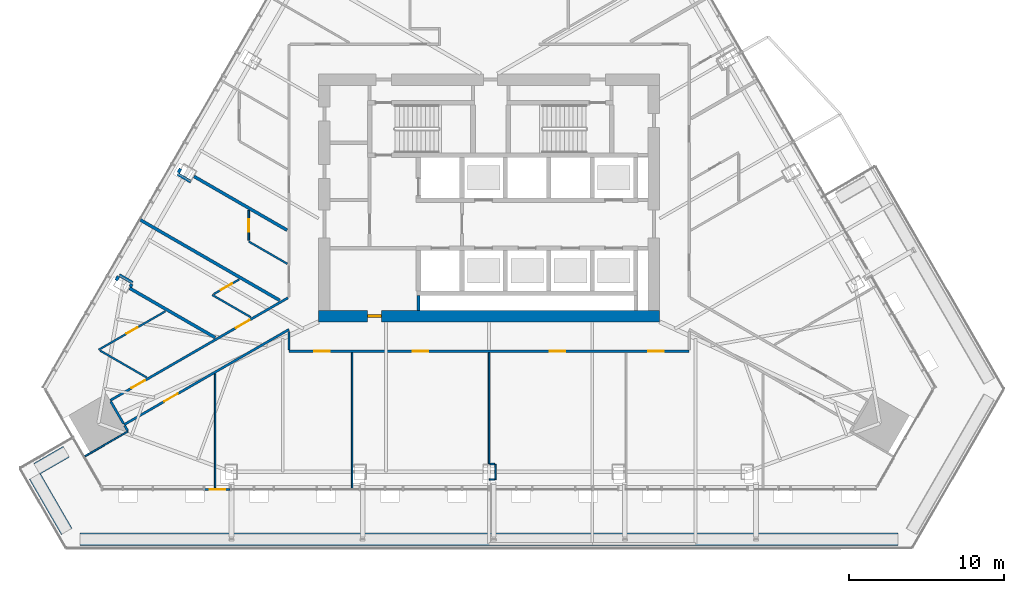
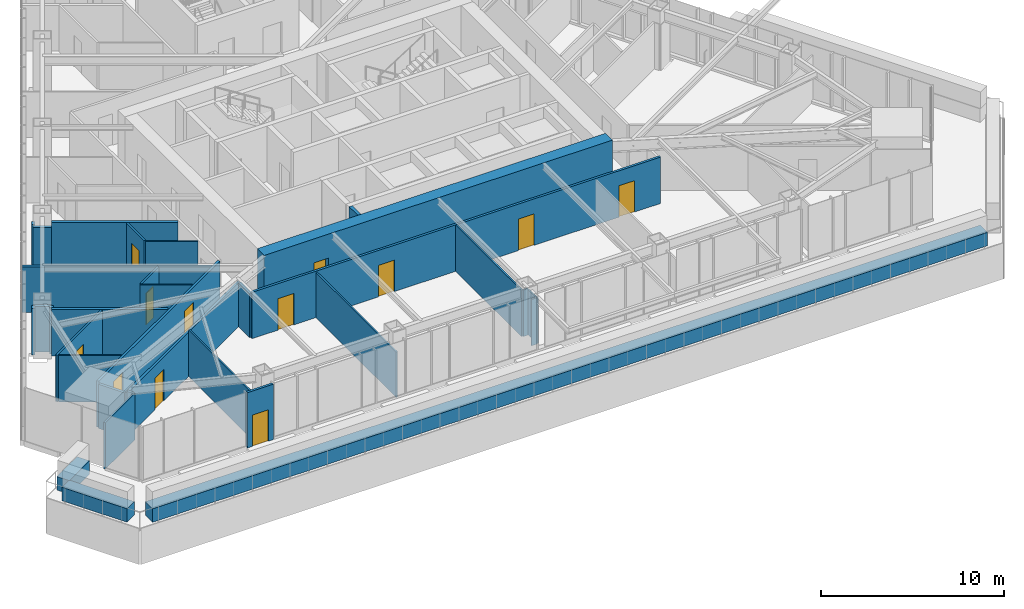
# One storey, part 14 of 21: 33 walls, 12 doors, 12 openings, 1 element without a shape of its own.
"""IFC4 building model written with IfcOpenShell, lengths in metres."""

from ifc_helpers import new_model, si_unit, direction, frame, frame_2d, origin, place, context, subcontext, project, spatial, rectangle, extrude, material, layer, layer_set, type_object, element, fill, aggregate, save


model = new_model("IFC4")

# Units and contexts
model_context = context("Model", 3, precision=1e-05, world=origin(), true_north=direction((0.0, 1.0)))
body_context = subcontext(model_context, "Body", "Model", "MODEL_VIEW")
ifc_project = project(units=[si_unit("LENGTHUNIT", "METRE"), si_unit("AREAUNIT", "SQUARE_METRE"), si_unit("VOLUMEUNIT", "CUBIC_METRE"), si_unit("PLANEANGLEUNIT", "RADIAN"), si_unit("MASSUNIT", "GRAM", prefix="KILO")], contexts=[model_context])

# Site, building, storey
site_placement = place(None, origin())
site = spatial("IfcSite", under=ifc_project, at=site_placement, CompositionType="ELEMENT")
building_placement = place(site_placement, origin())
building = spatial("IfcBuilding", under=site, at=building_placement, Name="Firuza Gate Tower and Library", CompositionType="ELEMENT")
storey_placement = place(building_placement, frame((0.0, 0.0, 222.10009765625)))
storey = spatial("IfcBuildingStorey", under=building, at=storey_placement, Name="L52", CompositionType="ELEMENT", Elevation=222.10009765625)

# Wall
ifc_material_1 = material(Name="Plasterboard on steel studs", Category="steel")
ifc_layer_1 = layer(ifc_material_1, 0.199951171875)
ifc_layer_set_1 = layer_set([ifc_layer_1], Name="Core partition 200 EI 120")
wall_type_1 = type_object("IfcWallType", Name="Core partition 200 EI 120", PredefinedType="PARTITIONING", material=ifc_layer_set_1)
wall_1_placement = place(storey_placement, frame((70.449951171875, 67.75, 0.0), z_axis=(0.0, 0.0, 1.0), x_axis=(0.0, 1.0, 0.0)))
element("IfcWall", 1, at=wall_1_placement, inside=storey, type_object=wall_type_1, Name="Core partition L52 9", PredefinedType="PARTITIONING", context=body_context, shape_type="SweptSolid", body=[
    extrude(rectangle(XDim=0.949951171875, YDim=0.199951171875, at=frame_2d((0.47509765625, 0.0))), origin(), (0.0, 0.0, 1.0), 3.699951171875),
])

# Wall, opening, door
ifc_material_2 = material(Name="Concrete C80/95", Category="concrete")
ifc_layer_2 = layer(ifc_material_2, 0.75)
ifc_layer_set_2 = layer_set([ifc_layer_2], Name="Core wall 750 C80/95")
wall_type_2 = type_object("IfcWallType", Name="Core wall 750 C80/95", PredefinedType="SHEAR", material=ifc_layer_set_2)
wall_2_placement = place(storey_placement, frame((64.0, 67.375, 0.0), z_axis=(0.0, 0.0, 1.0), x_axis=(1.0, 0.0, 0.0)))
wall_2 = element("IfcWall", 2, at=wall_2_placement, inside=storey, type_object=wall_type_2, Name="Core wall L52 1", PredefinedType="SHEAR", context=body_context, shape_type="SweptSolid", body=[
    extrude(rectangle(XDim=22.0, YDim=0.75, at=frame_2d((11.0, 0.0))), origin(), (0.0, 0.0, 1.0), 3.699951171875),
])
opening_1_placement = place(wall_2_placement, frame((3.14990234375, 0.0, 0.0)))
opening_1 = element("IfcOpeningElement", 3, at=opening_1_placement, cuts=wall_2, Name="Opening L52-K22", PredefinedType="OPENING", context=body_context, shape_type="SweptSolid", body=[
    extrude(rectangle(XDim=0.89990234375, YDim=2.10009765625, at=frame_2d((0.449951171875, 1.050048828125))), frame((0.0, 0.385009765625, 0.0), z_axis=(0.0, -1.0, 0.0), x_axis=(1.0, 0.0, 0.0)), (0.0, 0.0, 1.0), 0.77001953125),
])
ifc_material_3 = material(Name="Steel", Category="steel")
door_type_1 = type_object("IfcDoorType", Name="Fire door 900x2100 FD30S", OperationType="NOTDEFINED", PredefinedType="DOOR", material=ifc_material_3)
door_1_placement = place(opening_1_placement, origin())
door_1 = element("IfcDoor", 4, at=door_1_placement, inside=storey, type_object=door_type_1, Name="Door L52-K22", OperationType="SINGLE_SWING_LEFT", OverallHeight=2.10009765625, OverallWidth=0.89990234375, PredefinedType="DOOR", context=body_context, shape_type="SweptSolid", body=[
    extrude(rectangle(XDim=0.89990234375, YDim=2.10009765625, at=frame_2d((0.449951171875, 1.050048828125))), frame((0.0, 0.094970703125, 0.0), z_axis=(0.0, -1.0, 0.0), x_axis=(1.0, 0.0, 0.0)), (0.0, 0.0, 1.0), 0.18994140625),
])
fill(opening_1, door_1)

# Wall, openings, doors
ifc_material_4 = material(Name="Gypsum board partition")
ifc_layer_3 = layer(ifc_material_4, 0.14990234375)
ifc_layer_set_3 = layer_set([ifc_layer_3], Name="Corridor wall 150 double board on steel studs")
wall_type_3 = type_object("IfcWallType", Name="Corridor wall 150 double board on steel studs", PredefinedType="PARTITIONING", material=ifc_layer_set_3)
wall_3_placement = place(storey_placement, frame((87.8994140625, 65.10009765625, 0.0), z_axis=(0.0, 0.0, 1.0), x_axis=(-1.0, 0.0, 0.0)))
wall_3 = element("IfcWall", 5, at=wall_3_placement, inside=storey, type_object=wall_type_3, Name="f:L52:w002", PredefinedType="PARTITIONING", context=body_context, shape_type="SweptSolid", body=[
    extrude(rectangle(XDim=25.798828125, YDim=0.14990234375, at=frame_2d((12.8994140625, 0.0))), origin(), (0.0, 0.0, 1.0), 3.099853515625),
])
opening_2_placement = place(wall_3_placement, frame((1.6357421875, 0.0, 0.0)))
opening_2 = element("IfcOpeningElement", 6, at=opening_2_placement, cuts=wall_3, Name="Opening L52-01", PredefinedType="OPENING", context=body_context, shape_type="SweptSolid", body=[
    extrude(rectangle(XDim=1.0, YDim=2.10009765625, at=frame_2d((0.5, 1.050048828125))), frame((0.0, 0.0849609375, 0.0), z_axis=(0.0, -1.0, 0.0), x_axis=(1.0, 0.0, 0.0)), (0.0, 0.0, 1.0), 0.169921875),
])
opening_3_placement = place(wall_3_placement, frame((7.98388671875, 0.0, 0.0)))
opening_3 = element("IfcOpeningElement", 7, at=opening_3_placement, cuts=wall_3, Name="Opening L52-02", PredefinedType="OPENING", context=body_context, shape_type="SweptSolid", body=[
    extrude(rectangle(XDim=1.0, YDim=2.10009765625, at=frame_2d((0.5, 1.050048828125))), frame((0.0, 0.0849609375, 0.0), z_axis=(0.0, -1.0, 0.0), x_axis=(1.0, 0.0, 0.0)), (0.0, 0.0, 1.0), 0.169921875),
])
opening_4_placement = place(wall_3_placement, frame((16.81494140625, 0.0, 0.0)))
opening_4 = element("IfcOpeningElement", 8, at=opening_4_placement, cuts=wall_3, Name="Opening L52-03", PredefinedType="OPENING", context=body_context, shape_type="SweptSolid", body=[
    extrude(rectangle(XDim=1.0, YDim=2.10009765625, at=frame_2d((0.5, 1.050048828125))), frame((0.0, 0.0849609375, 0.0), z_axis=(0.0, -1.0, 0.0), x_axis=(1.0, 0.0, 0.0)), (0.0, 0.0, 1.0), 0.169921875),
])
opening_5_placement = place(wall_3_placement, frame((23.163330078125, 0.0, 0.0)))
opening_5 = element("IfcOpeningElement", 9, at=opening_5_placement, cuts=wall_3, Name="Opening L52-04", PredefinedType="OPENING", context=body_context, shape_type="SweptSolid", body=[
    extrude(rectangle(XDim=1.0, YDim=2.10009765625, at=frame_2d((0.5, 1.050048828125))), frame((0.0, 0.0849609375, 0.0), z_axis=(0.0, -1.0, 0.0), x_axis=(1.0, 0.0, 0.0)), (0.0, 0.0, 1.0), 0.169921875),
])
ifc_material_5 = material(Name="Steel door and timber leaf", Category="steel")
door_type_2 = type_object("IfcDoorType", Name="Fire door 1000 x 2100 steel frame, timber leaf", OperationType="NOTDEFINED", PredefinedType="DOOR", material=ifc_material_5)
door_2_placement = place(opening_2_placement, origin())
door_2 = element("IfcDoor", 10, at=door_2_placement, inside=storey, type_object=door_type_2, Name="f:L52:d001", OperationType="SINGLE_SWING_RIGHT", OverallHeight=2.10009765625, OverallWidth=1.0, PredefinedType="DOOR", context=body_context, shape_type="SweptSolid", body=[
    extrude(rectangle(XDim=1.0, YDim=2.10009765625, at=frame_2d((0.5, 1.050048828125))), frame((0.0, 0.02490234375, 0.0), z_axis=(0.0, -1.0, 0.0), x_axis=(1.0, 0.0, 0.0)), (0.0, 0.0, 1.0), 0.050048828125),
])
fill(opening_2, door_2)
door_3_placement = place(opening_3_placement, origin())
door_3 = element("IfcDoor", 11, at=door_3_placement, inside=storey, type_object=door_type_2, Name="f:L52:d002", OperationType="SINGLE_SWING_LEFT", OverallHeight=2.10009765625, OverallWidth=1.0, PredefinedType="DOOR", context=body_context, shape_type="SweptSolid", body=[
    extrude(rectangle(XDim=1.0, YDim=2.10009765625, at=frame_2d((0.5, 1.050048828125))), frame((0.0, 0.02490234375, 0.0), z_axis=(0.0, -1.0, 0.0), x_axis=(1.0, 0.0, 0.0)), (0.0, 0.0, 1.0), 0.050048828125),
])
fill(opening_3, door_3)
door_4_placement = place(opening_4_placement, origin())
door_4 = element("IfcDoor", 12, at=door_4_placement, inside=storey, type_object=door_type_2, Name="f:L52:d003", OperationType="SINGLE_SWING_RIGHT", OverallHeight=2.10009765625, OverallWidth=1.0, PredefinedType="DOOR", context=body_context, shape_type="SweptSolid", body=[
    extrude(rectangle(XDim=1.0, YDim=2.10009765625, at=frame_2d((0.5, 1.050048828125))), frame((0.0, 0.02490234375, 0.0), z_axis=(0.0, -1.0, 0.0), x_axis=(1.0, 0.0, 0.0)), (0.0, 0.0, 1.0), 0.050048828125),
])
fill(opening_4, door_4)
door_5_placement = place(opening_5_placement, origin())
door_5 = element("IfcDoor", 13, at=door_5_placement, inside=storey, type_object=door_type_2, Name="f:L52:d004", OperationType="SINGLE_SWING_LEFT", OverallHeight=2.10009765625, OverallWidth=1.0, PredefinedType="DOOR", context=body_context, shape_type="SweptSolid", body=[
    extrude(rectangle(XDim=1.0, YDim=2.10009765625, at=frame_2d((0.5, 1.050048828125))), frame((0.0, 0.02490234375, 0.0), z_axis=(0.0, -1.0, 0.0), x_axis=(1.0, 0.0, 0.0)), (0.0, 0.0, 1.0), 0.050048828125),
])
fill(opening_5, door_5)

# Wall, opening, door
wall_4_placement = place(storey_placement, frame((62.099853515625, 66.512939453125, 0.0), z_axis=(0.0, 0.0, 1.0), x_axis=(-0.866027942666, -0.499995602502, 0.0)))
wall_4 = element("IfcWall", 14, at=wall_4_placement, inside=storey, type_object=wall_type_3, Name="f:L52:w018", PredefinedType="PARTITIONING", context=body_context, shape_type="SweptSolid", body=[
    extrude(rectangle(XDim=12.27587890625, YDim=0.14990234375, at=frame_2d((6.137939453125, 0.0))), origin(), (0.0, 0.0, 1.0), 2.947021484375),
])
opening_6_placement = place(wall_4_placement, frame((8.285888671875, 0.0, 0.0)))
opening_6 = element("IfcOpeningElement", 15, at=opening_6_placement, cuts=wall_4, Name="Opening L52-11", PredefinedType="OPENING", context=body_context, shape_type="SweptSolid", body=[
    extrude(rectangle(XDim=1.0, YDim=2.10009765625, at=frame_2d((0.5, 1.050048828125))), frame((0.0, 0.0849609375, 0.0), z_axis=(0.0, -1.0, 0.0), x_axis=(1.0, 0.0, 0.0)), (0.0, 0.0, 1.0), 0.169921875),
])
door_6_placement = place(opening_6_placement, origin())
door_6 = element("IfcDoor", 16, at=door_6_placement, inside=storey, type_object=door_type_2, Name="f:L52:d011", OperationType="SINGLE_SWING_RIGHT", OverallHeight=2.10009765625, OverallWidth=1.0, PredefinedType="DOOR", context=body_context, shape_type="SweptSolid", body=[
    extrude(rectangle(XDim=1.0, YDim=2.10009765625, at=frame_2d((0.5, 1.050048828125))), frame((0.0, 0.02490234375, 0.0), z_axis=(0.0, -1.0, 0.0), x_axis=(1.0, 0.0, 0.0)), (0.0, 0.0, 1.0), 0.050048828125),
])
fill(opening_6, door_6)

# Wall, openings, doors
wall_5_placement = place(storey_placement, frame((50.56884765625, 61.93408203125, 0.0), z_axis=(0.0, 0.0, 1.0), x_axis=(0.866030071145, 0.499991915808, 0.0)))
wall_5 = element("IfcWall", 17, at=wall_5_placement, inside=storey, type_object=wall_type_3, Name="f:L52:w022", PredefinedType="PARTITIONING", context=body_context, shape_type="SweptSolid", body=[
    extrude(rectangle(XDim=13.228271484375, YDim=0.14990234375, at=frame_2d((6.6142578125, 0.0))), origin(), (0.0, 0.0, 1.0), 3.099853515625),
])
opening_7_placement = place(wall_5_placement, frame((1.59716796875, 0.0, 0.0)))
opening_7 = element("IfcOpeningElement", 18, at=opening_7_placement, cuts=wall_5, Name="Opening L52-13", PredefinedType="OPENING", context=body_context, shape_type="SweptSolid", body=[
    extrude(rectangle(XDim=1.0, YDim=2.10009765625, at=frame_2d((0.5, 1.050048828125))), frame((0.0, 0.0849609375, 0.0), z_axis=(0.0, -1.0, 0.0), x_axis=(1.0, 0.0, 0.0)), (0.0, 0.0, 1.0), 0.169921875),
])
opening_8_placement = place(wall_5_placement, frame((9.359619140625, 0.0, 0.0)))
opening_8 = element("IfcOpeningElement", 19, at=opening_8_placement, cuts=wall_5, Name="Opening L52-14", PredefinedType="OPENING", context=body_context, shape_type="SweptSolid", body=[
    extrude(rectangle(XDim=1.0, YDim=2.10009765625, at=frame_2d((0.5, 1.050048828125))), frame((0.0, 0.0849609375, 0.0), z_axis=(0.0, -1.0, 0.0), x_axis=(1.0, 0.0, 0.0)), (0.0, 0.0, 1.0), 0.169921875),
])
door_7_placement = place(opening_7_placement, origin())
door_7 = element("IfcDoor", 20, at=door_7_placement, inside=storey, type_object=door_type_2, Name="f:L52:d013", OperationType="SINGLE_SWING_RIGHT", OverallHeight=2.10009765625, OverallWidth=1.0, PredefinedType="DOOR", context=body_context, shape_type="SweptSolid", body=[
    extrude(rectangle(XDim=1.0, YDim=2.10009765625, at=frame_2d((0.5, 1.050048828125))), frame((0.0, 0.02490234375, 0.0), z_axis=(0.0, -1.0, 0.0), x_axis=(1.0, 0.0, 0.0)), (0.0, 0.0, 1.0), 0.050048828125),
])
fill(opening_7, door_7)
door_8_placement = place(opening_8_placement, origin())
door_8 = element("IfcDoor", 21, at=door_8_placement, inside=storey, type_object=door_type_2, Name="f:L52:d014", OperationType="SINGLE_SWING_RIGHT", OverallHeight=2.10009765625, OverallWidth=1.0, PredefinedType="DOOR", context=body_context, shape_type="SweptSolid", body=[
    extrude(rectangle(XDim=1.0, YDim=2.10009765625, at=frame_2d((0.5, 1.050048828125))), frame((0.0, 0.02490234375, 0.0), z_axis=(0.0, -1.0, 0.0), x_axis=(1.0, 0.0, 0.0)), (0.0, 0.0, 1.0), 0.050048828125),
])
fill(opening_8, door_8)

# Walls
wall_6_placement = place(storey_placement, frame((62.10009765625, 65.175537109375, 0.0), z_axis=(0.0, 0.0, 1.0), x_axis=(0.0, 1.0, 0.0)))
element("IfcWall", 22, at=wall_6_placement, inside=storey, type_object=wall_type_3, Name="f:L52:w057", PredefinedType="PARTITIONING", context=body_context, shape_type="SweptSolid", body=[
    extrude(rectangle(XDim=1.20068359375, YDim=0.14990234375, at=frame_2d((0.600341796875, 0.0))), origin(), (0.0, 0.0, 1.0), 2.947021484375),
])
wall_7_placement = place(storey_placement, frame((51.69287109375, 59.9853515625, 0.0), z_axis=(0.0, 0.0, 1.0), x_axis=(-0.499854089722, 0.866109628736, 0.0)))
element("IfcWall", 23, at=wall_7_placement, inside=storey, type_object=wall_type_3, Name="f:L52:w066", PredefinedType="PARTITIONING", context=body_context, shape_type="SweptSolid", body=[
    extrude(rectangle(XDim=0.37451171875, YDim=0.14990234375, at=frame_2d((0.187255859375, 0.0))), origin(), (0.0, 0.0, 1.0), 3.099853515625),
])
wall_8_placement = place(storey_placement, frame((51.4306640625, 60.439697265625, 0.0), z_axis=(0.0, 0.0, 1.0), x_axis=(-0.499991515992, 0.866030301974, 0.0)))
element("IfcWall", 24, at=wall_8_placement, inside=storey, type_object=wall_type_3, Name="f:L52:w087", PredefinedType="PARTITIONING", context=body_context, shape_type="SweptSolid", body=[
    extrude(rectangle(XDim=1.6494140625, YDim=0.14990234375, at=frame_2d((0.82470703125, 0.0))), origin(), (0.0, 0.0, 1.0), 2.947021484375),
])
ifc_material_6 = material(Name="Gypsum board partition")
ifc_layer_4 = layer(ifc_material_6, 0.199951171875)
ifc_layer_set_4 = layer_set([ifc_layer_4], Name="Demising wall 200 acoustic double stud")
wall_type_4 = type_object("IfcWallType", Name="Demising wall 200 acoustic double stud", PredefinedType="PARTITIONING", material=ifc_layer_set_4)
wall_9_placement = place(storey_placement, frame((51.8681640625, 69.262451171875, 0.0), z_axis=(0.0, 0.0, 1.0), x_axis=(0.500359323436, 0.865817848887, 0.0)))
element("IfcWall", 25, at=wall_9_placement, inside=storey, type_object=wall_type_4, Name="f:L52:w034", PredefinedType="PARTITIONING", context=body_context, shape_type="SweptSolid", body=[
    extrude(rectangle(XDim=0.198974609375, YDim=0.199951171875, at=frame_2d((0.099609375, 0.0))), origin(), (0.0, 0.0, 1.0), 3.099853515625),
])
wall_10_placement = place(storey_placement, frame((50.9521484375, 69.67578125, 0.0), z_axis=(0.0, 0.0, 1.0), x_axis=(0.500264001326, 0.865872928886, 0.0)))
element("IfcWall", 26, at=wall_10_placement, inside=storey, type_object=wall_type_4, Name="f:L52:w035", PredefinedType="PARTITIONING", context=body_context, shape_type="SweptSolid", body=[
    extrude(rectangle(XDim=0.299072265625, YDim=0.199951171875, at=frame_2d((0.1494140625, 0.0))), origin(), (0.0, 0.0, 1.0), 3.099853515625),
])
wall_11_placement = place(storey_placement, frame((54.960693359375, 76.618896484375, 0.0), z_axis=(0.0, 0.0, 1.0), x_axis=(0.500426713919, 0.865778900179, 0.0)))
element("IfcWall", 27, at=wall_11_placement, inside=storey, type_object=wall_type_4, Name="f:L52:w036", PredefinedType="PARTITIONING", context=body_context, shape_type="SweptSolid", body=[
    extrude(rectangle(XDim=0.300048828125, YDim=0.199951171875, at=frame_2d((0.14990234375, 0.0))), origin(), (0.0, 0.0, 1.0), 3.099853515625),
])
wall_12_placement = place(storey_placement, frame((61.972900390625, 72.91650390625, 0.0), z_axis=(0.0, 0.0, 1.0), x_axis=(-0.866027621823, 0.499996158224, 0.0)))
element("IfcWall", 28, at=wall_12_placement, inside=storey, type_object=wall_type_4, Name="f:L52:w078", PredefinedType="PARTITIONING", context=body_context, shape_type="SweptSolid", body=[
    extrude(rectangle(XDim=6.92333984375, YDim=0.199951171875, at=frame_2d((3.461669921875, 0.0))), origin(), (0.0, 0.0, 1.0), 3.099853515625),
])
wall_13_placement = place(storey_placement, frame((55.777099609375, 76.03173828125, 0.0), z_axis=(0.0, 0.0, 1.0), x_axis=(-0.866010750942, 0.50002537861, 0.0)))
element("IfcWall", 29, at=wall_13_placement, inside=storey, type_object=wall_type_4, Name="f:L52:w079", PredefinedType="PARTITIONING", context=body_context, shape_type="SweptSolid", body=[
    extrude(rectangle(XDim=1.0, YDim=0.199951171875, at=frame_2d((0.5, 0.0))), origin(), (0.0, 0.0, 1.0), 3.02197265625),
])
wall_14_placement = place(storey_placement, frame((61.496826171875, 68.39013671875, 0.0), z_axis=(0.0, 0.0, 1.0), x_axis=(-0.866030396021, 0.499991353094, 0.0)))
element("IfcWall", 30, at=wall_14_placement, inside=storey, type_object=wall_type_4, Name="f:L52:w081", PredefinedType="PARTITIONING", context=body_context, shape_type="SweptSolid", body=[
    extrude(rectangle(XDim=10.374267578125, YDim=0.199951171875, at=frame_2d((5.18701171875, 0.0))), origin(), (0.0, 0.0, 1.0), 3.02197265625),
])
wall_15_placement = place(storey_placement, frame((52.01806640625, 69.522216796875, 0.0), z_axis=(0.0, 0.0, 1.0), x_axis=(-0.86597798544, 0.50008212199, 0.0)))
element("IfcWall", 31, at=wall_15_placement, inside=storey, type_object=wall_type_4, Name="f:L52:w083", PredefinedType="PARTITIONING", context=body_context, shape_type="SweptSolid", body=[
    extrude(rectangle(XDim=0.998779296875, YDim=0.199951171875, at=frame_2d((0.49951171875, 0.0))), origin(), (0.0, 0.0, 1.0), 3.02197265625),
])
wall_16_placement = place(storey_placement, frame((57.337890625, 65.98876953125, 0.0), z_axis=(0.0, 0.0, 1.0), x_axis=(-0.866008861407, 0.500028651143, 0.0)))
element("IfcWall", 32, at=wall_16_placement, inside=storey, type_object=wall_type_4, Name="f:L52:w084", PredefinedType="PARTITIONING", context=body_context, shape_type="SweptSolid", body=[
    extrude(rectangle(XDim=6.372802734375, YDim=0.199951171875, at=frame_2d((3.1865234375, 0.0))), origin(), (0.0, 0.0, 1.0), 3.099853515625),
])
ifc_material_7 = material(Name="Gypsum board partition")
ifc_layer_5 = layer(ifc_material_7, 0.10009765625)
ifc_layer_set_5 = layer_set([ifc_layer_5], Name="Partition 100 gypsum board on steel studs")
wall_type_5 = type_object("IfcWallType", Name="Partition 100 gypsum board on steel studs", PredefinedType="PARTITIONING", material=ifc_layer_set_5)
wall_17_placement = place(storey_placement, frame((75.0, 56.8369140625, 0.0), z_axis=(0.0, 0.0, 1.0), x_axis=(1.0, 0.0, 0.0)))
element("IfcWall", 33, at=wall_17_placement, inside=storey, type_object=wall_type_5, Name="f:L52:w000", PredefinedType="PARTITIONING", context=body_context, shape_type="SweptSolid", body=[
    extrude(rectangle(XDim=0.349609375, YDim=0.10009765625, at=frame_2d((0.1748046875, 0.0))), origin(), (0.0, 0.0, 1.0), 3.099853515625),
])
wall_18_placement = place(storey_placement, frame((75.050048828125, 57.8369140625, 0.0), z_axis=(0.0, 0.0, 1.0), x_axis=(1.0, 0.0, 0.0)))
element("IfcWall", 34, at=wall_18_placement, inside=storey, type_object=wall_type_5, Name="f:L52:w001", PredefinedType="PARTITIONING", context=body_context, shape_type="SweptSolid", body=[
    extrude(rectangle(XDim=0.299560546875, YDim=0.10009765625, at=frame_2d((0.14990234375, 0.0))), origin(), (0.0, 0.0, 1.0), 3.099853515625),
])
wall_19_placement = place(storey_placement, frame((48.895263671875, 58.31201171875, 0.0), z_axis=(0.0, 0.0, 1.0), x_axis=(0.866035906198, 0.499981808845, 0.0)))
element("IfcWall", 35, at=wall_19_placement, inside=storey, type_object=wall_type_5, Name="f:L52:w017", PredefinedType="PARTITIONING", context=body_context, shape_type="SweptSolid", body=[
    extrude(rectangle(XDim=3.25927734375, YDim=0.10009765625, at=frame_2d((1.629638671875, 0.0))), origin(), (0.0, 0.0, 1.0), 3.099853515625),
])
wall_20_placement = place(storey_placement, frame((75.39990234375, 56.837158203125, 0.0), z_axis=(0.0, 0.0, 1.0), x_axis=(0.0, 1.0, 0.0)))
element("IfcWall", 36, at=wall_20_placement, inside=storey, type_object=wall_type_5, Name="f:L52:w048", PredefinedType="PARTITIONING", context=body_context, shape_type="SweptSolid", body=[
    extrude(rectangle(XDim=0.9990234375, YDim=0.10009765625, at=frame_2d((0.49951171875, 0.0))), origin(), (0.0, 0.0, 1.0), 3.02197265625),
])
wall_21_placement = place(storey_placement, frame((75.0, 57.836669921875, 0.0), z_axis=(0.0, 0.0, 1.0), x_axis=(0.0, 1.0, 0.0)))
element("IfcWall", 37, at=wall_21_placement, inside=storey, type_object=wall_type_5, Name="f:L52:w049", PredefinedType="PARTITIONING", context=body_context, shape_type="SweptSolid", body=[
    extrude(rectangle(XDim=7.188232421875, YDim=0.10009765625, at=frame_2d((3.59423828125, 0.0))), origin(), (0.0, 0.0, 1.0), 3.099853515625),
])
wall_22_placement = place(storey_placement, frame((66.1689453125, 56.236572265625, 0.0), z_axis=(0.0, 0.0, 1.0), x_axis=(0.0, 1.0, 0.0)))
element("IfcWall", 38, at=wall_22_placement, inside=storey, type_object=wall_type_5, Name="f:L52:w056", PredefinedType="PARTITIONING", context=body_context, shape_type="SweptSolid", body=[
    extrude(rectangle(XDim=8.788330078125, YDim=0.10009765625, at=frame_2d((4.39404296875, 0.0))), origin(), (0.0, 0.0, 1.0), 3.02197265625),
])
wall_23_placement = place(storey_placement, frame((57.337890625, 56.3115234375, 0.0), z_axis=(0.0, 0.0, 1.0), x_axis=(0.0, 1.0, 0.0)))
element("IfcWall", 39, at=wall_23_placement, inside=storey, type_object=wall_type_5, Name="f:L52:w061", PredefinedType="PARTITIONING", context=body_context, shape_type="SweptSolid", body=[
    extrude(rectangle(XDim=7.33544921875, YDim=0.10009765625, at=frame_2d((3.667724609375, 0.0))), origin(), (0.0, 0.0, 1.0), 3.099853515625),
])
ifc_material_8 = material(Name="Concrete C40/50", Category="concrete")
ifc_layer_6 = layer(ifc_material_8, 0.800048828125)
ifc_layer_set_6 = layer_set([ifc_layer_6], Name="Planter wall 800")
wall_type_6 = type_object("IfcWallType", Name="Planter wall 800", PredefinedType="SOLIDWALL", material=ifc_layer_set_6)
wall_24_placement = place(storey_placement, frame((47.742919921875, 58.6279296875, 0.0), z_axis=(0.0, 0.0, 1.0), x_axis=(-0.86605622881, -0.499946605688, 0.0)))
element("IfcWall", 40, at=wall_24_placement, inside=storey, type_object=wall_type_6, Name="PLANTER L52 1", PredefinedType="SOLIDWALL", context=body_context, shape_type="SweptSolid", body=[
    extrude(rectangle(XDim=2.199951171875, YDim=0.800048828125, at=frame_2d((1.10009765625, 0.0))), origin(), (0.0, 0.0, 1.0), 0.89990234375),
])
wall_25_placement = place(storey_placement, frame((45.70947265625, 57.0498046875, 0.0), z_axis=(0.0, 0.0, 1.0), x_axis=(0.49999844609, -0.866026300933, 0.0)))
element("IfcWall", 41, at=wall_25_placement, inside=storey, type_object=wall_type_6, Name="PLANTER L52 2", PredefinedType="SOLIDWALL", context=body_context, shape_type="SweptSolid", body=[
    extrude(rectangle(XDim=4.109375, YDim=0.800048828125, at=frame_2d((2.0546875, 0.0))), origin(), (0.0, 0.0, 1.0), 0.89990234375),
])
wall_26_placement = place(storey_placement, frame((48.637939453125, 52.986572265625, 0.0), z_axis=(0.0, 0.0, 1.0), x_axis=(1.0, 0.0, 0.0)))
element("IfcWall", 42, at=wall_26_placement, inside=storey, type_object=wall_type_6, Name="PLANTER L52 3", PredefinedType="SOLIDWALL", context=body_context, shape_type="SweptSolid", body=[
    extrude(rectangle(XDim=52.72412109375, YDim=0.800048828125, at=frame_2d((26.362060546875, 0.0))), origin(), (0.0, 0.0, 1.0), 0.89990234375),
])

# Curtain wall, wall, opening, door
ifc_material_9 = material(Name="Aluminium 6063-T6", Category="aluminium")
ifc_layer_7 = layer(ifc_material_9, 0.14990234375)
ifc_layer_set_7 = layer_set([ifc_layer_7], Name="Unitised curtain wall, hotel")
curtain_wall_type = type_object("IfcCurtainWallType", Name="Unitised curtain wall, hotel", PredefinedType="NOTDEFINED", material=ifc_layer_set_7)
curtain_wall_placement = place(storey_placement, origin())
curtain_wall = element("IfcCurtainWall", 43, at=curtain_wall_placement, inside=storey, type_object=curtain_wall_type, Name="CW2 L52 S face", PredefinedType="NOTDEFINED")
ifc_material_10 = material(Name="Aluminium 6063-T6", Category="aluminium")
ifc_layer_8 = layer(ifc_material_10, 0.14990234375)
ifc_layer_set_8 = layer_set([ifc_layer_8], Name="Terrace door wall 150")
wall_type_7 = type_object("IfcWallType", Name="Terrace door wall 150", PredefinedType="SOLIDWALL", material=ifc_layer_set_8)
wall_27_placement = place(storey_placement, frame((56.663818359375, 56.191650390625, 0.0), z_axis=(0.0, 0.0, 1.0), x_axis=(1.0, 0.0, 0.0)))
wall_27 = element("IfcWall", 44, at=wall_27_placement, type_object=wall_type_7, Name="Terrace door wall", PredefinedType="SOLIDWALL", context=body_context, shape_type="SweptSolid", body=[
    extrude(rectangle(XDim=1.632080078125, YDim=0.14990234375, at=frame_2d((0.81591796875, 0.0))), origin(), (0.0, 0.0, 1.0), 3.699951171875),
])
opening_9_placement = place(wall_27_placement, frame((0.31591796875, 0.0, 0.0)))
opening_9 = element("IfcOpeningElement", 45, at=opening_9_placement, cuts=wall_27, Name="Opening DR6", PredefinedType="OPENING", context=body_context, shape_type="SweptSolid", body=[
    extrude(rectangle(XDim=1.0, YDim=2.10009765625, at=frame_2d((0.5, 1.050048828125))), frame((0.0, 0.0849609375, 0.0), z_axis=(0.0, -1.0, 0.0), x_axis=(1.0, 0.0, 0.0)), (0.0, 0.0, 1.0), 0.169921875),
])
ifc_material_11 = material(Name="Aluminium 6063-T6 and glass", Category="aluminium")
door_type_3 = type_object("IfcDoorType", Name="Terrace door 1000x2100", OperationType="NOTDEFINED", PredefinedType="DOOR", material=ifc_material_11)
door_9_placement = place(opening_9_placement, origin())
door_9 = element("IfcDoor", 46, at=door_9_placement, inside=storey, type_object=door_type_3, Name="Terrace door", OperationType="SINGLE_SWING_LEFT", OverallHeight=2.10009765625, OverallWidth=1.0, PredefinedType="DOOR", context=body_context, shape_type="SweptSolid", body=[
    extrude(rectangle(XDim=1.0, YDim=2.10009765625, at=frame_2d((0.5, 1.050048828125))), frame((0.0, 0.02490234375, 0.0), z_axis=(0.0, -1.0, 0.0), x_axis=(1.0, 0.0, 0.0)), (0.0, 0.0, 1.0), 0.050048828125),
])
fill(opening_9, door_9)
aggregate(curtain_wall, [wall_27])

# Wall, opening, door
ifc_material_12 = material(Name="Gypsum board partition")
ifc_layer_9 = layer(ifc_material_12, 0.1201171875)
ifc_layer_set_9 = layer_set([ifc_layer_9], Name="Wet-area partition 120 moisture-resistant board")
wall_type_8 = type_object("IfcWallType", Name="Wet-area partition 120 moisture-resistant board", PredefinedType="PARTITIONING", material=ifc_layer_set_9)
wall_28_placement = place(storey_placement, frame((58.888916015625, 69.73974609375, 0.0), z_axis=(0.0, 0.0, 1.0), x_axis=(-0.866039783157, -0.499975093369, 0.0)))
wall_28 = element("IfcWall", 47, at=wall_28_placement, inside=storey, type_object=wall_type_8, Name="f:L52:w023", PredefinedType="PARTITIONING", context=body_context, shape_type="SweptSolid", body=[
    extrude(rectangle(XDim=1.89599609375, YDim=0.1201171875, at=frame_2d((0.947998046875, 0.0))), origin(), (0.0, 0.0, 1.0), 3.099853515625),
])
opening_10_placement = place(wall_28_placement, frame((0.548095703125, 0.0, 0.0)))
opening_10 = element("IfcOpeningElement", 48, at=opening_10_placement, cuts=wall_28, Name="Opening L52-15", PredefinedType="OPENING", context=body_context, shape_type="SweptSolid", body=[
    extrude(rectangle(XDim=0.800048828125, YDim=2.10009765625, at=frame_2d((0.39990234375, 1.050048828125))), frame((0.0, 0.070068359375, 0.0), z_axis=(0.0, -1.0, 0.0), x_axis=(1.0, 0.0, 0.0)), (0.0, 0.0, 1.0), 0.14013671875),
])
ifc_material_13 = material(Name="Timber door", Category="wood")
door_type_4 = type_object("IfcDoorType", Name="Door 800 x 2100 timber leaf", OperationType="NOTDEFINED", PredefinedType="DOOR", material=ifc_material_13)
door_10_placement = place(opening_10_placement, origin())
door_10 = element("IfcDoor", 49, at=door_10_placement, inside=storey, type_object=door_type_4, Name="f:L52:d015", OperationType="SINGLE_SWING_RIGHT", OverallHeight=2.10009765625, OverallWidth=0.800048828125, PredefinedType="DOOR", context=body_context, shape_type="SweptSolid", body=[
    extrude(rectangle(XDim=0.800048828125, YDim=2.10009765625, at=frame_2d((0.39990234375, 1.050048828125))), frame((0.0, 0.02490234375, 0.0), z_axis=(0.0, -1.0, 0.0), x_axis=(1.0, 0.0, 0.0)), (0.0, 0.0, 1.0), 0.050048828125),
])
fill(opening_10, door_10)

wall_29_placement = place(storey_placement, frame((54.130126953125, 67.68505859375, 0.0), z_axis=(0.0, 0.0, 1.0), x_axis=(-0.866020232408, -0.500008956979, 0.0)))
wall_29 = element("IfcWall", 50, at=wall_29_placement, inside=storey, type_object=wall_type_8, Name="f:L52:w024", PredefinedType="PARTITIONING", context=body_context, shape_type="SweptSolid", body=[
    extrude(rectangle(XDim=4.966796875, YDim=0.1201171875, at=frame_2d((2.4833984375, 0.0))), origin(), (0.0, 0.0, 1.0), 3.099853515625),
])
opening_11_placement = place(wall_29_placement, frame((2.08349609375, 0.0, 0.0)))
opening_11 = element("IfcOpeningElement", 51, at=opening_11_placement, cuts=wall_29, Name="Opening L52-16", PredefinedType="OPENING", context=body_context, shape_type="SweptSolid", body=[
    extrude(rectangle(XDim=0.800048828125, YDim=2.10009765625, at=frame_2d((0.39990234375, 1.050048828125))), frame((0.0, 0.070068359375, 0.0), z_axis=(0.0, -1.0, 0.0), x_axis=(1.0, 0.0, 0.0)), (0.0, 0.0, 1.0), 0.14013671875),
])
door_11_placement = place(opening_11_placement, origin())
door_11 = element("IfcDoor", 52, at=door_11_placement, inside=storey, type_object=door_type_4, Name="f:L52:d016", OperationType="SINGLE_SWING_RIGHT", OverallHeight=2.10009765625, OverallWidth=0.800048828125, PredefinedType="DOOR", context=body_context, shape_type="SweptSolid", body=[
    extrude(rectangle(XDim=0.800048828125, YDim=2.10009765625, at=frame_2d((0.39990234375, 1.050048828125))), frame((0.0, 0.02490234375, 0.0), z_axis=(0.0, -1.0, 0.0), x_axis=(1.0, 0.0, 0.0)), (0.0, 0.0, 1.0), 0.050048828125),
])
fill(opening_11, door_11)

wall_30_placement = place(storey_placement, frame((59.5, 74.189208984375, 0.0), z_axis=(0.0, 0.0, 1.0), x_axis=(0.0, -1.0, 0.0)))
wall_30 = element("IfcWall", 53, at=wall_30_placement, inside=storey, type_object=wall_type_8, Name="f:L52:w059", PredefinedType="PARTITIONING", context=body_context, shape_type="SweptSolid", body=[
    extrude(rectangle(XDim=1.936279296875, YDim=0.1201171875, at=frame_2d((0.96826171875, 0.0))), origin(), (0.0, 0.0, 1.0), 3.099853515625),
])
opening_12_placement = place(wall_30_placement, frame((0.568115234375, 0.0, 0.0)))
opening_12 = element("IfcOpeningElement", 54, at=opening_12_placement, cuts=wall_30, Name="Opening L52-28", PredefinedType="OPENING", context=body_context, shape_type="SweptSolid", body=[
    extrude(rectangle(XDim=0.800048828125, YDim=2.10009765625, at=frame_2d((0.39990234375, 1.050048828125))), frame((0.0, 0.070068359375, 0.0), z_axis=(0.0, -1.0, 0.0), x_axis=(1.0, 0.0, 0.0)), (0.0, 0.0, 1.0), 0.14013671875),
])
door_12_placement = place(opening_12_placement, origin())
door_12 = element("IfcDoor", 55, at=door_12_placement, inside=storey, type_object=door_type_4, Name="f:L52:d028", OperationType="SINGLE_SWING_RIGHT", OverallHeight=2.10009765625, OverallWidth=0.800048828125, PredefinedType="DOOR", context=body_context, shape_type="SweptSolid", body=[
    extrude(rectangle(XDim=0.800048828125, YDim=2.10009765625, at=frame_2d((0.39990234375, 1.050048828125))), frame((0.0, 0.02490234375, 0.0), z_axis=(0.0, -1.0, 0.0), x_axis=(1.0, 0.0, 0.0)), (0.0, 0.0, 1.0), 0.050048828125),
])
fill(opening_12, door_12)

# Walls
for number, where, z_axis, x_axis, name in (
    (56, (61.990478515625, 70.745849609375, 0.0), (0.0, 0.0, 1.0), (-0.86600886466, 0.50002864551, 0.0), "f:L52:w080"),
    (57, (59.642578125, 67.299072265625, 0.0), (0.0, 0.0, 1.0), (-0.86600886466, 0.50002864551, 0.0), "f:L52:w082"),
):
    element("IfcWall", number, at=place(storey_placement, frame(where, z_axis=z_axis, x_axis=x_axis)), inside=storey, type_object=wall_type_8, Name=name, PredefinedType="PARTITIONING", context=body_context, shape_type="SweptSolid", body=[
        extrude(rectangle(XDim=2.875732421875, YDim=0.1201171875, at=frame_2d((1.43798828125, 0.0))), origin(), (0.0, 0.0, 1.0), 3.099853515625),
    ])
wall_31_placement = place(storey_placement, frame((52.91943359375, 63.417724609375, 0.0), z_axis=(0.0, 0.0, 1.0), x_axis=(-0.866045730533, 0.499964791386, 0.0)))
element("IfcWall", 58, at=wall_31_placement, inside=storey, type_object=wall_type_8, Name="f:L52:w085", PredefinedType="PARTITIONING", context=body_context, shape_type="SweptSolid", body=[
    extrude(rectangle(XDim=3.459228515625, YDim=0.1201171875, at=frame_2d((1.7294921875, 0.0))), origin(), (0.0, 0.0, 1.0), 3.099853515625),
])

save(model, "model.ifc")
